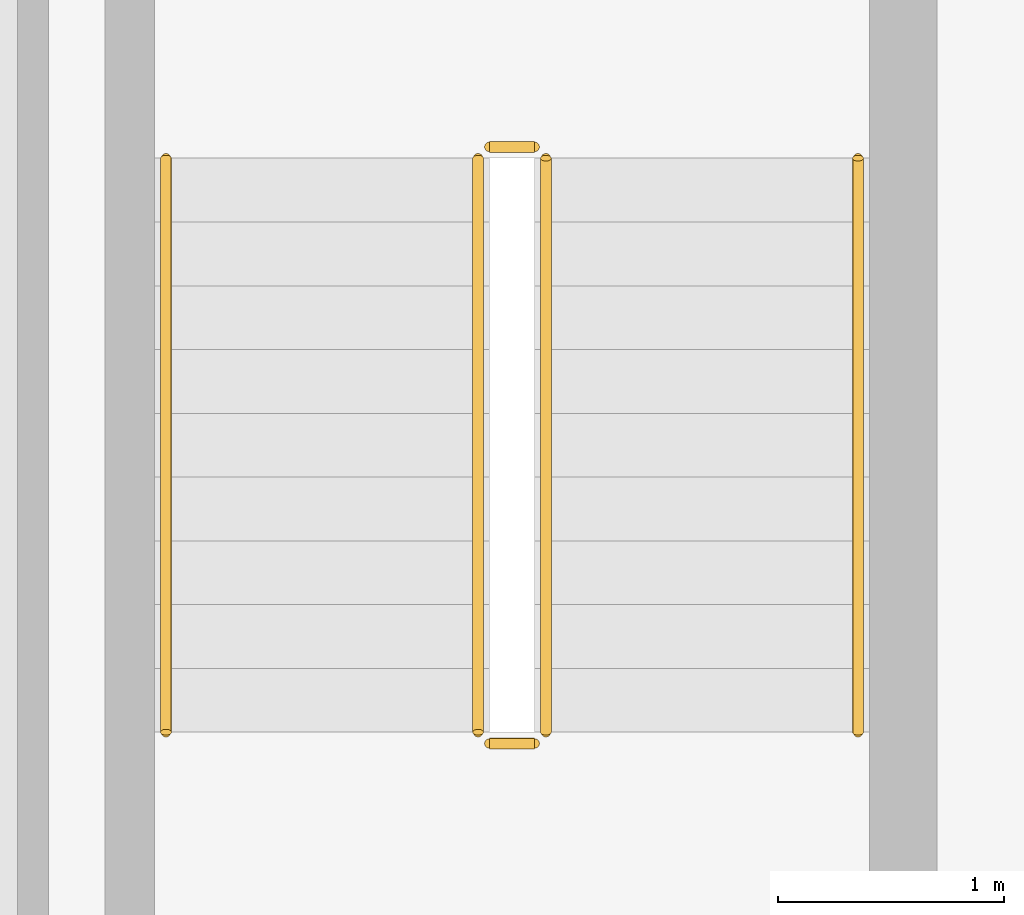
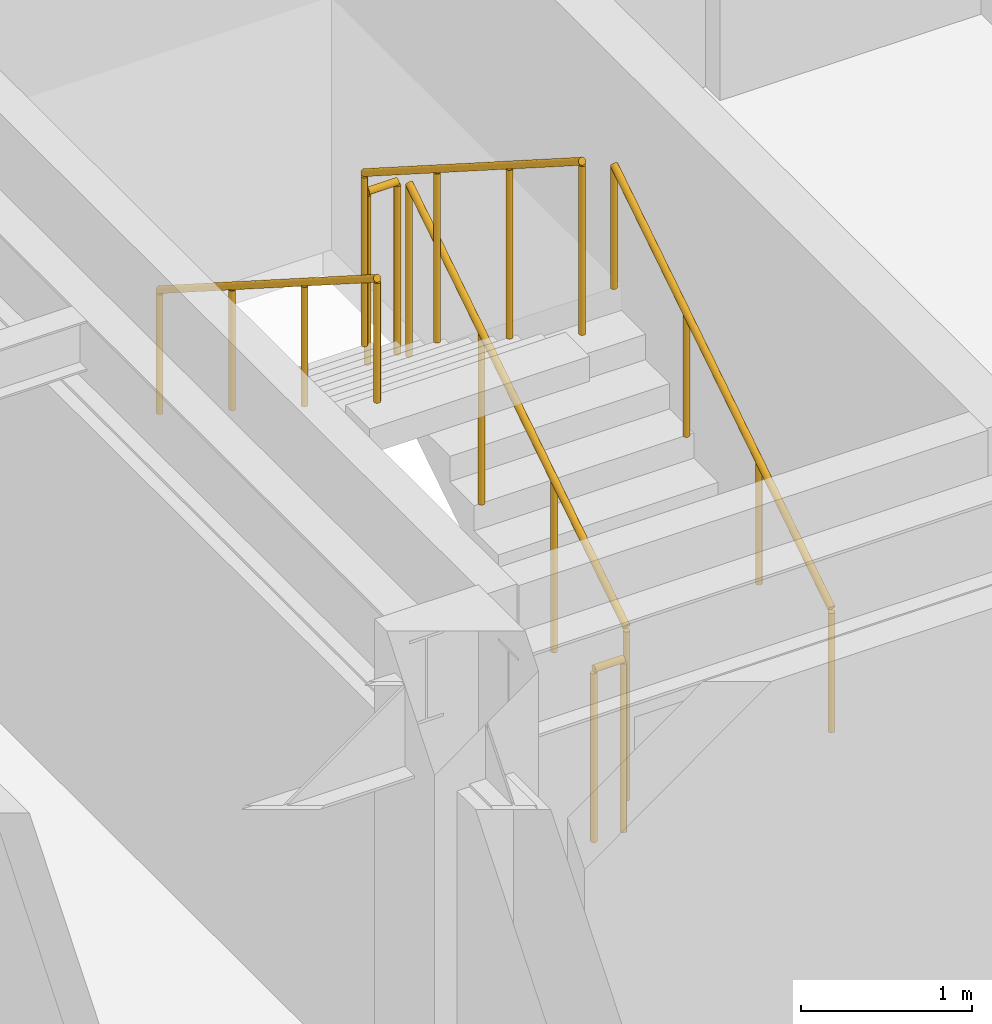
# One storey, part 9 of 10: 6 railings.
"""IFC4 building model written with IfcOpenShell, lengths in metres."""

from ifc_helpers import new_model, si_unit, direction, frame, origin, origin_2d, place, context, subcontext, project, spatial, circle, extrude, material, type_object, element, save


model = new_model("IFC4")

# Units and contexts
model_context = context("Model", 3, precision=1e-05, world=origin(), true_north=direction((0.0, 1.0)))
body_context = subcontext(model_context, "Body", "Model", "MODEL_VIEW")
ifc_project = project(units=[si_unit("LENGTHUNIT", "METRE"), si_unit("AREAUNIT", "SQUARE_METRE"), si_unit("VOLUMEUNIT", "CUBIC_METRE"), si_unit("PLANEANGLEUNIT", "RADIAN"), si_unit("MASSUNIT", "GRAM", prefix="KILO")], contexts=[model_context])

# Site, building, storey
site_placement = place(None, origin())
site = spatial("IfcSite", under=ifc_project, at=site_placement, CompositionType="ELEMENT")
building_placement = place(site_placement, origin())
building = spatial("IfcBuilding", under=site, at=building_placement, Name="Ochreholt Gables", CompositionType="ELEMENT")
storey_placement = place(building_placement, frame((0.0, 0.0, 144.60009765625)))
storey = spatial("IfcBuildingStorey", under=building, at=storey_placement, Name="L37", CompositionType="ELEMENT", Elevation=144.60009765625)

# Railings
ifc_material_1 = material(Name="Painted Steel Stair Guardrail", Category="steel")
railing_type_1 = type_object("IfcRailingType", Name="RL-ST-GUARD", PredefinedType="GUARDRAIL", material=ifc_material_1)
railing_1_placement = place(storey_placement, frame((26.64990234375, 32.4599609375, 0.179931640625)))
element("IfcRailing", 1, at=railing_1_placement, inside=storey, type_object=railing_type_1, Name="L37 ST-2 stair guard 1", PredefinedType="GUARDRAIL", context=body_context, shape_type="SweptSolid", body=[
    extrude(circle(Radius=0.02392578125, at=origin_2d()), frame((0.0, 0.0, 1.22607421875), z_axis=(0.0, 0.842949592929, 0.537992549931), x_axis=(-1.0, 0.0, 0.0)), (0.0, 0.0, 1.0), 3.010986328125),
    extrude(circle(Radius=0.02099609375, at=origin_2d()), origin(), (0.0, 0.0, 1.0), 1.201904296875),
    extrude(circle(Radius=0.02099609375, at=origin_2d()), frame((0.0, 0.845947265625, 0.5400390625)), (0.0, 0.0, 1.0), 1.201904296875),
    extrude(circle(Radius=0.02099609375, at=origin_2d()), frame((0.0, 1.692138671875, 1.079833984375)), (0.0, 0.0, 1.0), 1.201904296875),
    extrude(circle(Radius=0.02099609375, at=origin_2d()), frame((0.0, 2.5380859375, 1.619873046875)), (0.0, 0.0, 1.0), 1.201904296875),
])
railing_2_placement = place(storey_placement, frame((26.60009765625, 35.048095703125, 1.7998046875)))
element("IfcRailing", 2, at=railing_2_placement, inside=storey, type_object=railing_type_1, Name="L37 ST-2 stair guard 2", PredefinedType="GUARDRAIL", context=body_context, shape_type="SweptSolid", body=[
    extrude(circle(Radius=0.02392578125, at=origin_2d()), frame((0.0, 0.0, 1.22607421875), z_axis=(-1.0, 0.0, 0.0), x_axis=(0.0, -1.0, 0.0)), (0.0, 0.0, 1.0), 0.2001953125),
    extrude(circle(Radius=0.02099609375, at=origin_2d()), origin(), (0.0, 0.0, 1.0), 1.201904296875),
    extrude(circle(Radius=0.02099609375, at=origin_2d()), frame((-0.2001953125, 0.0, 0.0)), (0.0, 0.0, 1.0), 1.201904296875),
])
railing_3_placement = place(storey_placement, frame((26.35009765625, 34.998046875, 1.97998046875)))
element("IfcRailing", 3, at=railing_3_placement, inside=storey, type_object=railing_type_1, Name="L37 ST-2 stair guard 3", PredefinedType="GUARDRAIL", context=body_context, shape_type="SweptSolid", body=[
    extrude(circle(Radius=0.02392578125, at=origin_2d()), frame((0.0, 0.0, 1.22607421875), z_axis=(0.0, -0.842949592929, 0.537992549931), x_axis=(1.0, 0.0, 0.0)), (0.0, 0.0, 1.0), 3.010986328125),
    extrude(circle(Radius=0.02099609375, at=origin_2d()), origin(), (0.0, 0.0, 1.0), 1.201904296875),
    extrude(circle(Radius=0.02099609375, at=origin_2d()), frame((0.0, -0.845947265625, 0.5400390625)), (0.0, 0.0, 1.0), 1.201904296875),
    extrude(circle(Radius=0.02099609375, at=origin_2d()), frame((0.0, -1.692138671875, 1.079833984375)), (0.0, 0.0, 1.0), 1.201904296875),
    extrude(circle(Radius=0.02099609375, at=origin_2d()), frame((0.0, -2.5380859375, 1.619873046875)), (0.0, 0.0, 1.0), 1.201904296875),
])
railing_4_placement = place(storey_placement, frame((26.60009765625, 32.409912109375, 0.0)))
element("IfcRailing", 4, at=railing_4_placement, inside=storey, type_object=railing_type_1, Name="L37 ST-2 stair guard 4", PredefinedType="GUARDRAIL", context=body_context, shape_type="SweptSolid", body=[
    extrude(circle(Radius=0.02392578125, at=origin_2d()), frame((0.0, 0.0, 1.22607421875), z_axis=(-1.0, 0.0, 0.0), x_axis=(0.0, -1.0, 0.0)), (0.0, 0.0, 1.0), 0.2001953125),
    extrude(circle(Radius=0.02099609375, at=origin_2d()), origin(), (0.0, 0.0, 1.0), 1.201904296875),
    extrude(circle(Radius=0.02099609375, at=origin_2d()), frame((-0.2001953125, 0.0, 0.0)), (0.0, 0.0, 1.0), 1.201904296875),
])
ifc_material_2 = material(Name="Brushed Stainless Steel Wall Handrail", Category="steel")
railing_type_2 = type_object("IfcRailingType", Name="RL-ST-HAND", PredefinedType="HANDRAIL", material=ifc_material_2)
railing_5_placement = place(storey_placement, frame((28.030029296875, 32.4599609375, 0.179931640625)))
element("IfcRailing", 5, at=railing_5_placement, inside=storey, type_object=railing_type_2, Name="L37 ST-2 stair handrail 1", PredefinedType="HANDRAIL", context=body_context, shape_type="SweptSolid", body=[
    extrude(circle(Radius=0.02392578125, at=origin_2d()), frame((0.0, 0.0, 0.8759765625), z_axis=(0.0, 0.842949592929, 0.537992549931), x_axis=(-1.0, 0.0, 0.0)), (0.0, 0.0, 1.0), 3.010986328125),
    extrude(circle(Radius=0.02099609375, at=origin_2d()), origin(), (0.0, 0.0, 1.0), 0.851806640625),
    extrude(circle(Radius=0.02099609375, at=origin_2d()), frame((0.0, 0.845947265625, 0.5400390625)), (0.0, 0.0, 1.0), 0.851806640625),
    extrude(circle(Radius=0.02099609375, at=origin_2d()), frame((0.0, 1.692138671875, 1.079833984375)), (0.0, 0.0, 1.0), 0.851806640625),
    extrude(circle(Radius=0.02099609375, at=origin_2d()), frame((0.0, 2.5380859375, 1.619873046875)), (0.0, 0.0, 1.0), 0.851806640625),
])
railing_6_placement = place(storey_placement, frame((24.969970703125, 34.998046875, 1.97998046875)))
element("IfcRailing", 6, at=railing_6_placement, inside=storey, type_object=railing_type_2, Name="L37 ST-2 stair handrail 2", PredefinedType="HANDRAIL", context=body_context, shape_type="SweptSolid", body=[
    extrude(circle(Radius=0.02392578125, at=origin_2d()), frame((0.0, 0.0, 0.8759765625), z_axis=(0.0, -0.842949592929, 0.537992549931), x_axis=(1.0, 0.0, 0.0)), (0.0, 0.0, 1.0), 3.010986328125),
    extrude(circle(Radius=0.02099609375, at=origin_2d()), origin(), (0.0, 0.0, 1.0), 0.851806640625),
    extrude(circle(Radius=0.02099609375, at=origin_2d()), frame((0.0, -0.845947265625, 0.5400390625)), (0.0, 0.0, 1.0), 0.851806640625),
    extrude(circle(Radius=0.02099609375, at=origin_2d()), frame((0.0, -1.692138671875, 1.079833984375)), (0.0, 0.0, 1.0), 0.851806640625),
    extrude(circle(Radius=0.02099609375, at=origin_2d()), frame((0.0, -2.5380859375, 1.619873046875)), (0.0, 0.0, 1.0), 0.851806640625),
])

save(model, "model.ifc")
